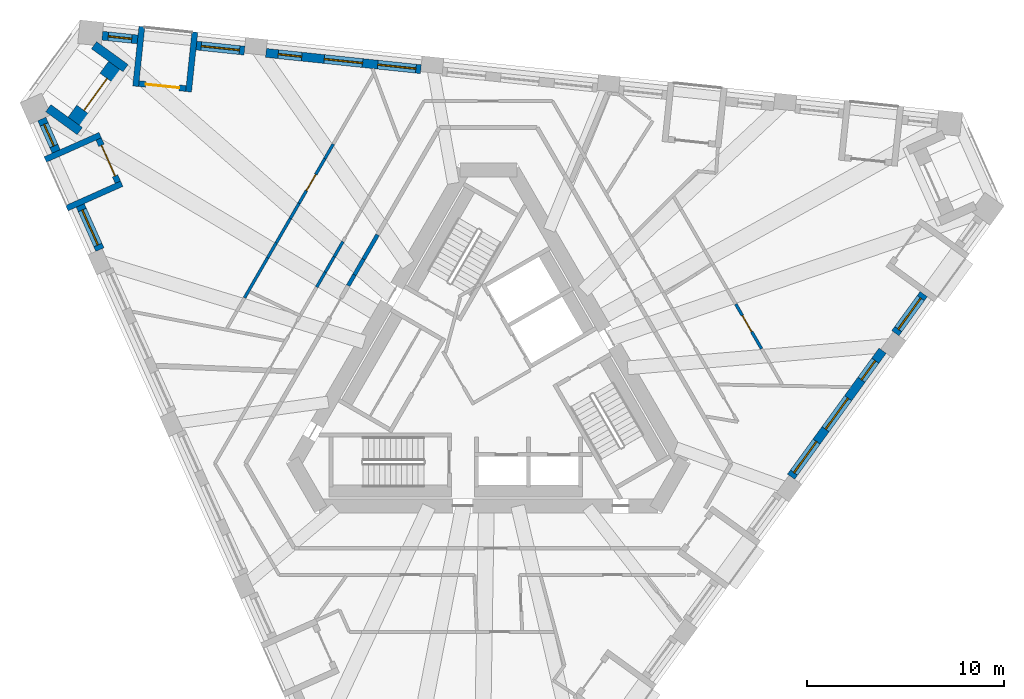
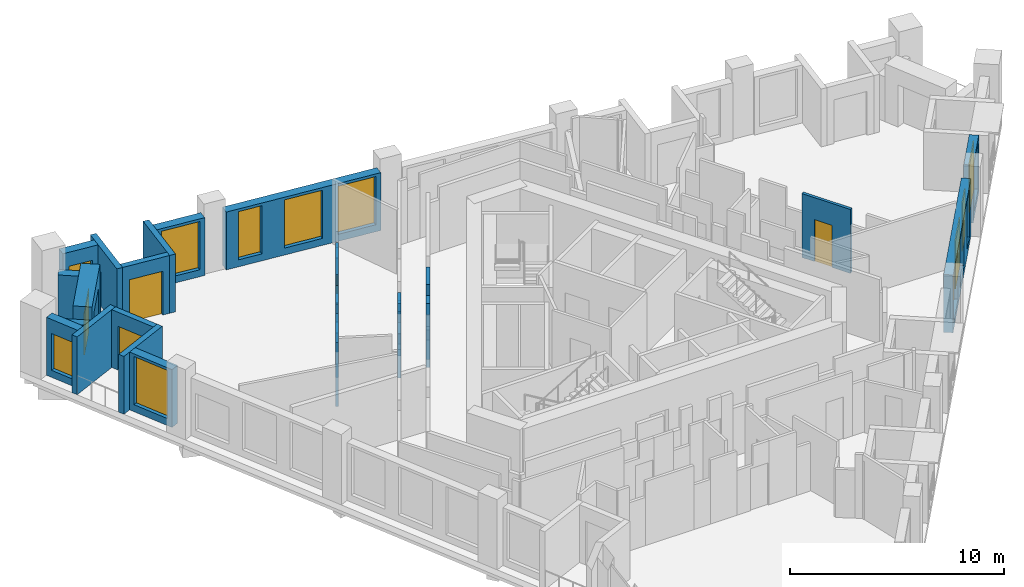
# One storey, part 6 of 11: 29 walls, 11 windows, 5 doors, 16 openings.
"""IFC4 building model written with IfcOpenShell, lengths in metres."""

from ifc_helpers import new_model, si_unit, direction, frame, frame_2d, origin, place, context, subcontext, project, spatial, rectangle, extrude, material, layer, layer_set, type_object, element, fill, save


model = new_model("IFC4")

# Units and contexts
model_context = context("Model", 3, precision=1e-05, world=origin(), true_north=direction((0.0, 1.0)))
body_context = subcontext(model_context, "Body", "Model", "MODEL_VIEW")
ifc_project = project(units=[si_unit("LENGTHUNIT", "METRE"), si_unit("AREAUNIT", "SQUARE_METRE"), si_unit("VOLUMEUNIT", "CUBIC_METRE"), si_unit("PLANEANGLEUNIT", "RADIAN"), si_unit("MASSUNIT", "GRAM", prefix="KILO")], contexts=[model_context])

# Site, building, storey
site_placement = place(None, origin())
site = spatial("IfcSite", under=ifc_project, at=site_placement, CompositionType="ELEMENT")
building_placement = place(site_placement, origin())
building = spatial("IfcBuilding", under=site, at=building_placement, Name="Tramontana Tower", CompositionType="ELEMENT")
storey_placement = place(building_placement, frame((0.0, 0.0, 261.199951171875)))
storey = spatial("IfcBuildingStorey", under=building, at=storey_placement, Name="L61", CompositionType="ELEMENT", Elevation=261.199951171875)

# Walls
ifc_material_1 = material(Name="Blockwork", Category="masonry")
ifc_layer_1 = layer(ifc_material_1, 0.199951171875)
ifc_layer_set_1 = layer_set([ifc_layer_1], Name="ENTRY WALL 200")
wall_type_1 = type_object("IfcWallType", Name="ENTRY WALL 200", PredefinedType="SOLIDWALL", material=ifc_layer_set_1)
wall_1_placement = place(storey_placement, frame((-7.11181640625, 4.78173828125, 0.0), z_axis=(0.0, 0.0, 1.0), x_axis=(0.499956208541, 0.866050685319, 0.0)))
element("IfcWall", 1, at=wall_1_placement, inside=storey, type_object=wall_type_1, Name="Wall v62-ew3-6", PredefinedType="SOLIDWALL", context=body_context, shape_type="SweptSolid", body=[
    extrude(rectangle(XDim=0.6328125, YDim=0.199951171875, at=frame_2d((0.31640625, 0.0))), origin(), (0.0, 0.0, 1.0), 3.650146484375),
])
wall_2_placement = place(storey_placement, frame((-6.79541015625, 5.329833984375, 0.0), z_axis=(0.0, 0.0, 1.0), x_axis=(0.499975954304, 0.866039286129, 0.0)))
element("IfcWall", 2, at=wall_2_placement, inside=storey, type_object=wall_type_1, Name="Wall v62-ew3-7", PredefinedType="SOLIDWALL", context=body_context, shape_type="SweptSolid", body=[
    extrude(rectangle(XDim=0.9169921875, YDim=0.199951171875, at=frame_2d((0.45849609375, 0.0))), origin(), (0.0, 0.0, 1.0), 2.550048828125),
])
wall_3_placement = place(storey_placement, frame((-6.3369140625, 6.1240234375, 0.0), z_axis=(0.0, 0.0, 1.0), x_axis=(0.499904796234, 0.866080362727, 0.0)))
element("IfcWall", 3, at=wall_3_placement, inside=storey, type_object=wall_type_1, Name="Wall v62-ew3-8", PredefinedType="SOLIDWALL", context=body_context, shape_type="SweptSolid", body=[
    extrude(rectangle(XDim=1.429443359375, YDim=0.199951171875, at=frame_2d((0.71484375, 0.0))), origin(), (0.0, 0.0, 1.0), 3.650146484375),
])

# Wall, opening, window
ifc_material_2 = material(Name="Precast concrete 60 MPa", Category="concrete")
ifc_layer_2 = layer(ifc_material_2, 0.449951171875)
ifc_layer_set_2 = layer_set([ifc_layer_2], Name="Precast concrete 60 MPa, 450 mm")
wall_type_2 = type_object("IfcWallType", Name="EW1 Stone-faced precast wall 450", PredefinedType="SOLIDWALL", material=ifc_layer_set_2)
wall_4_placement = place(storey_placement, frame((-22.67041015625, 13.240478515625, 0.0), z_axis=(0.0, 0.0, 1.0), x_axis=(0.406779346191, -0.913526443795, 0.0)))
wall_4 = element("IfcWall", 4, at=wall_4_placement, inside=storey, type_object=wall_type_2, Name="External wall L61 face 0 bay 1", PredefinedType="SOLIDWALL", context=body_context, shape_type="SweptSolid", body=[
    extrude(rectangle(XDim=1.80224609375, YDim=0.449951171875, at=frame_2d((0.901123046875, 0.0))), origin(), (0.0, 0.0, 1.0), 3.300048828125),
])
opening_1_placement = place(wall_4_placement, frame((0.301025390625, 0.0, 0.39990234375)))
opening_1 = element("IfcOpeningElement", 5, at=opening_1_placement, cuts=wall_4, Name="Opening N3L", PredefinedType="OPENING", context=body_context, shape_type="SweptSolid", body=[
    extrude(rectangle(XDim=1.199951171875, YDim=2.10009765625, at=frame_2d((0.60009765625, 1.050048828125))), frame((0.0, 0.23486328125, 0.0), z_axis=(0.0, -1.0, 0.0), x_axis=(1.0, 0.0, 0.0)), (0.0, 0.0, 1.0), 0.469970703125),
])
ifc_material_3 = material(Name="Aluminum frame, double glazing unit", Category="aluminium")
window_type_1 = type_object("IfcWindowType", Name="N3L Window 1.2 x 2.1", PartitioningType="SINGLE_PANEL", PredefinedType="WINDOW", material=ifc_material_3)
window_1_placement = place(opening_1_placement, origin())
window_1 = element("IfcWindow", 6, at=window_1_placement, inside=storey, type_object=window_type_1, Name="Window N3L L61 face 0 module 1", OverallHeight=2.10009765625, OverallWidth=1.199951171875, PartitioningType="SINGLE_PANEL", PredefinedType="WINDOW", context=body_context, shape_type="SweptSolid", body=[
    extrude(rectangle(XDim=1.199951171875, YDim=2.10009765625, at=frame_2d((0.60009765625, 1.050048828125))), frame((0.0, 0.030029296875, 0.0), z_axis=(0.0, -1.0, 0.0), x_axis=(1.0, 0.0, 0.0)), (0.0, 0.0, 1.0), 0.06005859375),
])
fill(opening_1, window_1)

wall_5_placement = place(storey_placement, frame((-20.71630859375, 8.851318359375, 0.0), z_axis=(0.0, 0.0, 1.0), x_axis=(0.406821962592, -0.913507466172, 0.0)))
wall_5 = element("IfcWall", 7, at=wall_5_placement, inside=storey, type_object=wall_type_2, Name="External wall L61 face 0 bay 1", PredefinedType="SOLIDWALL", context=body_context, shape_type="SweptSolid", body=[
    extrude(rectangle(XDim=2.4521484375, YDim=0.449951171875, at=frame_2d((1.22607421875, 0.0))), origin(), (0.0, 0.0, 1.0), 3.300048828125),
])
opening_2_placement = place(wall_5_placement, frame((0.251220703125, 0.0, 0.39990234375)))
opening_2 = element("IfcOpeningElement", 8, at=opening_2_placement, cuts=wall_5, Name="Opening M3", PredefinedType="OPENING", context=body_context, shape_type="SweptSolid", body=[
    extrude(rectangle(XDim=1.949951171875, YDim=2.75, at=frame_2d((0.97509765625, 1.375))), frame((0.0, 0.23486328125, 0.0), z_axis=(0.0, -1.0, 0.0), x_axis=(1.0, 0.0, 0.0)), (0.0, 0.0, 1.0), 0.469970703125),
])
ifc_material_4 = material(Name="Aluminum frame, double glazing unit", Category="aluminium")
window_type_2 = type_object("IfcWindowType", Name="M3 Window 1.95 x 2.75", PartitioningType="SINGLE_PANEL", PredefinedType="WINDOW", material=ifc_material_4)
window_2_placement = place(opening_2_placement, origin())
window_2 = element("IfcWindow", 9, at=window_2_placement, inside=storey, type_object=window_type_2, Name="Window M3 L61 face 0 module 3", OverallHeight=2.75, OverallWidth=1.949951171875, PartitioningType="SINGLE_PANEL", PredefinedType="WINDOW", context=body_context, shape_type="SweptSolid", body=[
    extrude(rectangle(XDim=1.949951171875, YDim=2.75, at=frame_2d((0.97509765625, 1.375))), frame((0.0, 0.030029296875, 0.0), z_axis=(0.0, -1.0, 0.0), x_axis=(1.0, 0.0, 0.0)), (0.0, 0.0, 1.0), 0.06005859375),
])
fill(opening_2, window_2)

# Wall, openings, windows
wall_6_placement = place(storey_placement, frame((15.368408203125, -4.919677734375, 0.0), z_axis=(0.0, 0.0, 1.0), x_axis=(0.587782407267, 0.809019061399, 0.0)))
wall_6 = element("IfcWall", 10, at=wall_6_placement, inside=storey, type_object=wall_type_2, Name="External wall L61 face 1 bay 4", PredefinedType="SOLIDWALL", context=body_context, shape_type="SweptSolid", body=[
    extrude(rectangle(XDim=7.90673828125, YDim=0.449951171875, at=frame_2d((3.953369140625, 0.0))), origin(), (0.0, 0.0, 1.0), 3.300048828125),
])
opening_3_placement = place(wall_6_placement, frame((0.251220703125, 0.0, 0.39990234375)))
opening_3 = element("IfcOpeningElement", 11, at=opening_3_placement, cuts=wall_6, Name="Opening M3", PredefinedType="OPENING", context=body_context, shape_type="SweptSolid", body=[
    extrude(rectangle(XDim=1.949951171875, YDim=2.75, at=frame_2d((0.97509765625, 1.375))), frame((0.0, 0.23486328125, 0.0), z_axis=(0.0, -1.0, 0.0), x_axis=(1.0, 0.0, 0.0)), (0.0, 0.0, 1.0), 0.469970703125),
])
opening_4_placement = place(wall_6_placement, frame((2.978271484375, 0.0, 0.39990234375)))
opening_4 = element("IfcOpeningElement", 12, at=opening_4_placement, cuts=wall_6, Name="Opening M3", PredefinedType="OPENING", context=body_context, shape_type="SweptSolid", body=[
    extrude(rectangle(XDim=1.949951171875, YDim=2.75, at=frame_2d((0.97509765625, 1.375))), frame((0.0, 0.23486328125, 0.0), z_axis=(0.0, -1.0, 0.0), x_axis=(1.0, 0.0, 0.0)), (0.0, 0.0, 1.0), 0.469970703125),
])
opening_5_placement = place(wall_6_placement, frame((6.08056640625, 0.0, 0.39990234375)))
opening_5 = element("IfcOpeningElement", 13, at=opening_5_placement, cuts=wall_6, Name="Opening N3", PredefinedType="OPENING", context=body_context, shape_type="SweptSolid", body=[
    extrude(rectangle(XDim=1.199951171875, YDim=2.75, at=frame_2d((0.60009765625, 1.375))), frame((0.0, 0.23486328125, 0.0), z_axis=(0.0, -1.0, 0.0), x_axis=(1.0, 0.0, 0.0)), (0.0, 0.0, 1.0), 0.469970703125),
])
window_3_placement = place(opening_3_placement, origin())
window_3 = element("IfcWindow", 14, at=window_3_placement, inside=storey, type_object=window_type_2, Name="Window M3 L61 face 1 module 10", OverallHeight=2.75, OverallWidth=1.949951171875, PartitioningType="SINGLE_PANEL", PredefinedType="WINDOW", context=body_context, shape_type="SweptSolid", body=[
    extrude(rectangle(XDim=1.949951171875, YDim=2.75, at=frame_2d((0.97509765625, 1.375))), frame((0.0, 0.030029296875, 0.0), z_axis=(0.0, -1.0, 0.0), x_axis=(1.0, 0.0, 0.0)), (0.0, 0.0, 1.0), 0.06005859375),
])
fill(opening_3, window_3)
window_4_placement = place(opening_4_placement, origin())
window_4 = element("IfcWindow", 15, at=window_4_placement, inside=storey, type_object=window_type_2, Name="Window M3 L61 face 1 module 11", OverallHeight=2.75, OverallWidth=1.949951171875, PartitioningType="SINGLE_PANEL", PredefinedType="WINDOW", context=body_context, shape_type="SweptSolid", body=[
    extrude(rectangle(XDim=1.949951171875, YDim=2.75, at=frame_2d((0.97509765625, 1.375))), frame((0.0, 0.030029296875, 0.0), z_axis=(0.0, -1.0, 0.0), x_axis=(1.0, 0.0, 0.0)), (0.0, 0.0, 1.0), 0.06005859375),
])
fill(opening_4, window_4)
ifc_material_5 = material(Name="Aluminum frame, double glazing unit", Category="aluminium")
window_type_3 = type_object("IfcWindowType", Name="N3 Window 1.2 x 2.75", PartitioningType="SINGLE_PANEL", PredefinedType="WINDOW", material=ifc_material_5)
window_5_placement = place(opening_5_placement, origin())
window_5 = element("IfcWindow", 16, at=window_5_placement, inside=storey, type_object=window_type_3, Name="Window N3 L61 face 1 module 12", OverallHeight=2.75, OverallWidth=1.199951171875, PartitioningType="SINGLE_PANEL", PredefinedType="WINDOW", context=body_context, shape_type="SweptSolid", body=[
    extrude(rectangle(XDim=1.199951171875, YDim=2.75, at=frame_2d((0.60009765625, 1.375))), frame((0.0, 0.030029296875, 0.0), z_axis=(0.0, -1.0, 0.0), x_axis=(1.0, 0.0, 0.0)), (0.0, 0.0, 1.0), 0.06005859375),
])
fill(opening_5, window_5)

# Wall, opening, window
wall_7_placement = place(storey_placement, frame((20.662353515625, 2.366943359375, 0.0), z_axis=(0.0, 0.0, 1.0), x_axis=(0.587792773076, 0.809011530152, 0.0)))
wall_7 = element("IfcWall", 17, at=wall_7_placement, inside=storey, type_object=wall_type_2, Name="External wall L61 face 1 bay 5", PredefinedType="SOLIDWALL", context=body_context, shape_type="SweptSolid", body=[
    extrude(rectangle(XDim=2.4521484375, YDim=0.449951171875, at=frame_2d((1.22607421875, 0.0))), origin(), (0.0, 0.0, 1.0), 3.300048828125),
])
opening_6_placement = place(wall_7_placement, frame((0.251220703125, 0.0, 0.39990234375)))
opening_6 = element("IfcOpeningElement", 18, at=opening_6_placement, cuts=wall_7, Name="Opening M3", PredefinedType="OPENING", context=body_context, shape_type="SweptSolid", body=[
    extrude(rectangle(XDim=1.949951171875, YDim=2.75, at=frame_2d((0.97509765625, 1.375))), frame((0.0, 0.23486328125, 0.0), z_axis=(0.0, -1.0, 0.0), x_axis=(1.0, 0.0, 0.0)), (0.0, 0.0, 1.0), 0.469970703125),
])
window_6_placement = place(opening_6_placement, origin())
window_6 = element("IfcWindow", 19, at=window_6_placement, inside=storey, type_object=window_type_2, Name="Window M3 L61 face 1 module 13", OverallHeight=2.75, OverallWidth=1.949951171875, PartitioningType="SINGLE_PANEL", PredefinedType="WINDOW", context=body_context, shape_type="SweptSolid", body=[
    extrude(rectangle(XDim=1.949951171875, YDim=2.75, at=frame_2d((0.97509765625, 1.375))), frame((0.0, 0.030029296875, 0.0), z_axis=(0.0, -1.0, 0.0), x_axis=(1.0, 0.0, 0.0)), (0.0, 0.0, 1.0), 0.06005859375),
])
fill(opening_6, window_6)

# Wall, openings, windows
wall_8_placement = place(storey_placement, frame((-3.423828125, 15.769287109375, 0.0), z_axis=(0.0, 0.0, 1.0), x_axis=(-0.994522528385, 0.104522440343, 0.0)))
wall_8 = element("IfcWall", 20, at=wall_8_placement, inside=storey, type_object=wall_type_2, Name="External wall L61 face 2 bay 4", PredefinedType="SOLIDWALL", context=body_context, shape_type="SweptSolid", body=[
    extrude(rectangle(XDim=7.906494140625, YDim=0.449951171875, at=frame_2d((3.953125, 0.0))), origin(), (0.0, 0.0, 1.0), 3.300048828125),
])
opening_7_placement = place(wall_8_placement, frame((0.251220703125, 0.0, 0.39990234375)))
opening_7 = element("IfcOpeningElement", 21, at=opening_7_placement, cuts=wall_8, Name="Opening M3", PredefinedType="OPENING", context=body_context, shape_type="SweptSolid", body=[
    extrude(rectangle(XDim=1.949951171875, YDim=2.75, at=frame_2d((0.97509765625, 1.375))), frame((0.0, 0.23486328125, 0.0), z_axis=(0.0, -1.0, 0.0), x_axis=(1.0, 0.0, 0.0)), (0.0, 0.0, 1.0), 0.469970703125),
])
opening_8_placement = place(wall_8_placement, frame((2.978271484375, 0.0, 0.39990234375)))
opening_8 = element("IfcOpeningElement", 22, at=opening_8_placement, cuts=wall_8, Name="Opening M3", PredefinedType="OPENING", context=body_context, shape_type="SweptSolid", body=[
    extrude(rectangle(XDim=1.949951171875, YDim=2.75, at=frame_2d((0.97509765625, 1.375))), frame((0.0, 0.23486328125, 0.0), z_axis=(0.0, -1.0, 0.0), x_axis=(1.0, 0.0, 0.0)), (0.0, 0.0, 1.0), 0.469970703125),
])
opening_9_placement = place(wall_8_placement, frame((6.08056640625, 0.0, 0.39990234375)))
opening_9 = element("IfcOpeningElement", 23, at=opening_9_placement, cuts=wall_8, Name="Opening N3", PredefinedType="OPENING", context=body_context, shape_type="SweptSolid", body=[
    extrude(rectangle(XDim=1.199951171875, YDim=2.75, at=frame_2d((0.60009765625, 1.375))), frame((0.0, 0.23486328125, 0.0), z_axis=(0.0, -1.0, 0.0), x_axis=(1.0, 0.0, 0.0)), (0.0, 0.0, 1.0), 0.469970703125),
])
window_7_placement = place(opening_7_placement, origin())
window_7 = element("IfcWindow", 24, at=window_7_placement, inside=storey, type_object=window_type_2, Name="Window M3 L61 face 2 module 10", OverallHeight=2.75, OverallWidth=1.949951171875, PartitioningType="SINGLE_PANEL", PredefinedType="WINDOW", context=body_context, shape_type="SweptSolid", body=[
    extrude(rectangle(XDim=1.949951171875, YDim=2.75, at=frame_2d((0.97509765625, 1.375))), frame((0.0, 0.030029296875, 0.0), z_axis=(0.0, -1.0, 0.0), x_axis=(1.0, 0.0, 0.0)), (0.0, 0.0, 1.0), 0.06005859375),
])
fill(opening_7, window_7)
window_8_placement = place(opening_8_placement, origin())
window_8 = element("IfcWindow", 25, at=window_8_placement, inside=storey, type_object=window_type_2, Name="Window M3 L61 face 2 module 11", OverallHeight=2.75, OverallWidth=1.949951171875, PartitioningType="SINGLE_PANEL", PredefinedType="WINDOW", context=body_context, shape_type="SweptSolid", body=[
    extrude(rectangle(XDim=1.949951171875, YDim=2.75, at=frame_2d((0.97509765625, 1.375))), frame((0.0, 0.030029296875, 0.0), z_axis=(0.0, -1.0, 0.0), x_axis=(1.0, 0.0, 0.0)), (0.0, 0.0, 1.0), 0.06005859375),
])
fill(opening_8, window_8)
window_9_placement = place(opening_9_placement, origin())
window_9 = element("IfcWindow", 26, at=window_9_placement, inside=storey, type_object=window_type_3, Name="Window N3 L61 face 2 module 12", OverallHeight=2.75, OverallWidth=1.199951171875, PartitioningType="SINGLE_PANEL", PredefinedType="WINDOW", context=body_context, shape_type="SweptSolid", body=[
    extrude(rectangle(XDim=1.199951171875, YDim=2.75, at=frame_2d((0.60009765625, 1.375))), frame((0.0, 0.030029296875, 0.0), z_axis=(0.0, -1.0, 0.0), x_axis=(1.0, 0.0, 0.0)), (0.0, 0.0, 1.0), 0.06005859375),
])
fill(opening_9, window_9)

# Wall, opening, window
wall_9_placement = place(storey_placement, frame((-12.381103515625, 16.710693359375, 0.0), z_axis=(0.0, 0.0, 1.0), x_axis=(-0.994520717537, 0.104539668977, 0.0)))
wall_9 = element("IfcWall", 27, at=wall_9_placement, inside=storey, type_object=wall_type_2, Name="External wall L61 face 2 bay 5", PredefinedType="SOLIDWALL", context=body_context, shape_type="SweptSolid", body=[
    extrude(rectangle(XDim=2.4521484375, YDim=0.449951171875, at=frame_2d((1.22607421875, 0.0))), origin(), (0.0, 0.0, 1.0), 3.300048828125),
])
opening_10_placement = place(wall_9_placement, frame((0.251220703125, 0.0, 0.39990234375)))
opening_10 = element("IfcOpeningElement", 28, at=opening_10_placement, cuts=wall_9, Name="Opening M3", PredefinedType="OPENING", context=body_context, shape_type="SweptSolid", body=[
    extrude(rectangle(XDim=1.949951171875, YDim=2.75, at=frame_2d((0.97509765625, 1.375))), frame((0.0, 0.23486328125, 0.0), z_axis=(0.0, -1.0, 0.0), x_axis=(1.0, 0.0, 0.0)), (0.0, 0.0, 1.0), 0.469970703125),
])
window_10_placement = place(opening_10_placement, origin())
window_10 = element("IfcWindow", 29, at=window_10_placement, inside=storey, type_object=window_type_2, Name="Window M3 L61 face 2 module 13", OverallHeight=2.75, OverallWidth=1.949951171875, PartitioningType="SINGLE_PANEL", PredefinedType="WINDOW", context=body_context, shape_type="SweptSolid", body=[
    extrude(rectangle(XDim=1.949951171875, YDim=2.75, at=frame_2d((0.97509765625, 1.375))), frame((0.0, 0.030029296875, 0.0), z_axis=(0.0, -1.0, 0.0), x_axis=(1.0, 0.0, 0.0)), (0.0, 0.0, 1.0), 0.06005859375),
])
fill(opening_10, window_10)

wall_10_placement = place(storey_placement, frame((-17.8056640625, 17.28076171875, 0.0), z_axis=(0.0, 0.0, 1.0), x_axis=(-0.994515840559, 0.104586054885, 0.0)))
wall_10 = element("IfcWall", 30, at=wall_10_placement, inside=storey, type_object=wall_type_2, Name="External wall L61 face 2 bay 5", PredefinedType="SOLIDWALL", context=body_context, shape_type="SweptSolid", body=[
    extrude(rectangle(XDim=1.802001953125, YDim=0.449951171875, at=frame_2d((0.90087890625, 0.0))), origin(), (0.0, 0.0, 1.0), 3.300048828125),
])
opening_11_placement = place(wall_10_placement, frame((0.301025390625, 0.0, 0.39990234375)))
opening_11 = element("IfcOpeningElement", 31, at=opening_11_placement, cuts=wall_10, Name="Opening N3L", PredefinedType="OPENING", context=body_context, shape_type="SweptSolid", body=[
    extrude(rectangle(XDim=1.199951171875, YDim=2.10009765625, at=frame_2d((0.60009765625, 1.050048828125))), frame((0.0, 0.23486328125, 0.0), z_axis=(0.0, -1.0, 0.0), x_axis=(1.0, 0.0, 0.0)), (0.0, 0.0, 1.0), 0.469970703125),
])
window_11_placement = place(opening_11_placement, origin())
window_11 = element("IfcWindow", 32, at=window_11_placement, inside=storey, type_object=window_type_1, Name="Window N3L L61 face 2 module 15", OverallHeight=2.10009765625, OverallWidth=1.199951171875, PartitioningType="SINGLE_PANEL", PredefinedType="WINDOW", context=body_context, shape_type="SweptSolid", body=[
    extrude(rectangle(XDim=1.199951171875, YDim=2.10009765625, at=frame_2d((0.60009765625, 1.050048828125))), frame((0.0, 0.030029296875, 0.0), z_axis=(0.0, -1.0, 0.0), x_axis=(1.0, 0.0, 0.0)), (0.0, 0.0, 1.0), 0.06005859375),
])
fill(opening_11, window_11)

# Walls
for number, where, z_axis, x_axis, name in (
    (33, (-22.34033203125, 13.7900390625, 0.0), (0.0, 0.0, 1.0), (0.809040012586, -0.587753569138, 0.0), "Corner loggia side wall L61 K60l"),
    (34, (-20.0185546875, 16.985595703125, 0.0), (0.0, 0.0, 1.0), (0.809040012586, -0.587753569138, 0.0), "Corner loggia side wall L61 K60r"),
):
    element("IfcWall", number, at=place(storey_placement, frame(where, z_axis=z_axis, x_axis=x_axis)), inside=storey, type_object=wall_type_2, Name=name, PredefinedType="SOLIDWALL", context=body_context, shape_type="SweptSolid", body=[
        extrude(rectangle(XDim=1.979248046875, YDim=0.449951171875, at=frame_2d((0.98974609375, 0.0))), origin(), (0.0, 0.0, 1.0), 2.550048828125),
    ])

# Wall, opening, door
ifc_material_6 = material(Name="Precast concrete 60 MPa", Category="concrete")
ifc_layer_3 = layer(ifc_material_6, 0.89990234375)
ifc_layer_set_3 = layer_set([ifc_layer_3], Name="EW2 Stone-faced corner loggia wall 900")
wall_type_3 = type_object("IfcWallType", Name="EW2 Stone-faced corner loggia wall 900", PredefinedType="SOLIDWALL", material=ifc_layer_set_3)
wall_11_placement = place(storey_placement, frame((-20.970947265625, 13.0732421875, 0.0), z_axis=(0.0, 0.0, 1.0), x_axis=(0.587810807352, 0.808998426921, 0.0)))
wall_11 = element("IfcWall", 35, at=wall_11_placement, inside=storey, type_object=wall_type_3, Name="Corner loggia wall L61 K60", PredefinedType="SOLIDWALL", context=body_context, shape_type="SweptSolid", body=[
    extrude(rectangle(XDim=3.5, YDim=0.89990234375, at=frame_2d((1.75, 0.0))), origin(), (0.0, 0.0, 1.0), 3.300048828125),
])
opening_12_placement = place(wall_11_placement, frame((0.75, 0.0, 0.0)))
opening_12 = element("IfcOpeningElement", 36, at=opening_12_placement, cuts=wall_11, Name="Opening BD-60C", PredefinedType="OPENING", context=body_context, shape_type="SweptSolid", body=[
    extrude(rectangle(XDim=2.0, YDim=2.39990234375, at=frame_2d((1.0, 1.199951171875))), frame((0.0, 0.4599609375, 0.0), z_axis=(0.0, -1.0, 0.0), x_axis=(1.0, 0.0, 0.0)), (0.0, 0.0, 1.0), 0.919921875),
])
ifc_material_7 = material(Name="Aluminum frame, double glazing unit", Category="aluminium")
door_type_1 = type_object("IfcDoorType", Name="BC1 Sliding door 2 x 2.4", OperationType="SLIDING_TO_LEFT", PredefinedType="DOOR", material=ifc_material_7)
door_1_placement = place(opening_12_placement, origin())
door_1 = element("IfcDoor", 37, at=door_1_placement, inside=storey, type_object=door_type_1, Name="Corner loggia door L61 K60", OperationType="SLIDING_TO_LEFT", OverallHeight=2.39990234375, OverallWidth=2.0, PredefinedType="DOOR", context=body_context, shape_type="SweptSolid", body=[
    extrude(rectangle(XDim=2.0, YDim=2.39990234375, at=frame_2d((1.0, 1.199951171875))), frame((0.0, 0.02490234375, 0.0), z_axis=(0.0, -1.0, 0.0), x_axis=(1.0, 0.0, 0.0)), (0.0, 0.0, 1.0), 0.050048828125),
])
fill(opening_12, door_1)

ifc_material_8 = material(Name="Precast concrete 60 MPa", Category="concrete")
ifc_layer_4 = layer(ifc_material_8, 0.300048828125)
ifc_layer_set_4 = layer_set([ifc_layer_4], Name="LW1 Stone-faced loggia wall 300")
wall_type_4 = type_object("IfcWallType", Name="LW1 Stone-faced loggia wall 300", PredefinedType="SOLIDWALL", material=ifc_layer_set_4)
wall_12_placement = place(storey_placement, frame((-19.78271484375, 12.22509765625, 0.0), z_axis=(0.0, 0.0, 1.0), x_axis=(0.406723017018, -0.913551524232, 0.0)))
wall_12 = element("IfcWall", 38, at=wall_12_placement, inside=storey, type_object=wall_type_4, Name="Loggia wall L61 G6S0.1", PredefinedType="SOLIDWALL", context=body_context, shape_type="SweptSolid", body=[
    extrude(rectangle(XDim=2.40234375, YDim=0.300048828125, at=frame_2d((1.201171875, 0.0))), origin(), (0.0, 0.0, 1.0), 3.300048828125),
])
opening_13_placement = place(wall_12_placement, frame((0.35107421875, 0.0, 0.0)))
opening_13 = element("IfcOpeningElement", 39, at=opening_13_placement, cuts=wall_12, Name="Opening BD-6S0-01", PredefinedType="OPENING", context=body_context, shape_type="SweptSolid", body=[
    extrude(rectangle(XDim=1.699951171875, YDim=2.5, at=frame_2d((0.85009765625, 1.25))), frame((0.0, 0.159912109375, 0.0), z_axis=(0.0, -1.0, 0.0), x_axis=(1.0, 0.0, 0.0)), (0.0, 0.0, 1.0), 0.320068359375),
])
ifc_material_9 = material(Name="Aluminum frame, double glazing unit", Category="aluminium")
door_type_2 = type_object("IfcDoorType", Name="BD3 Sliding door 1.7 x 2.5", OperationType="SLIDING_TO_LEFT", PredefinedType="DOOR", material=ifc_material_9)
door_2_placement = place(opening_13_placement, origin())
door_2 = element("IfcDoor", 40, at=door_2_placement, inside=storey, type_object=door_type_2, Name="Loggia door L61 G6S0.1", OperationType="SLIDING_TO_LEFT", OverallHeight=2.5, OverallWidth=1.699951171875, PredefinedType="DOOR", context=body_context, shape_type="SweptSolid", body=[
    extrude(rectangle(XDim=1.699951171875, YDim=2.5, at=frame_2d((0.85009765625, 1.25))), frame((0.0, 0.02490234375, 0.0), z_axis=(0.0, -1.0, 0.0), x_axis=(1.0, 0.0, 0.0)), (0.0, 0.0, 1.0), 0.050048828125),
])
fill(opening_13, door_2)

# Walls
wall_13_placement = place(storey_placement, frame((-22.492919921875, 11.1826171875, 0.0), z_axis=(0.0, 0.0, 1.0), x_axis=(0.913557205168, 0.406710256677, 0.0)))
element("IfcWall", 41, at=wall_13_placement, inside=storey, type_object=wall_type_4, Name="Loggia return L61 G6S0.1a", PredefinedType="SOLIDWALL", context=body_context, shape_type="SweptSolid", body=[
    extrude(rectangle(XDim=3.050048828125, YDim=0.300048828125, at=frame_2d((1.52490234375, 0.0))), origin(), (0.0, 0.0, 1.0), 3.300048828125),
])
wall_14_placement = place(storey_placement, frame((-21.393798828125, 8.7138671875, 0.0), z_axis=(0.0, 0.0, 1.0), x_axis=(0.91354396316, 0.406739999721, 0.0)))
element("IfcWall", 42, at=wall_14_placement, inside=storey, type_object=wall_type_4, Name="Loggia return L61 G6S0.1b", PredefinedType="SOLIDWALL", context=body_context, shape_type="SweptSolid", body=[
    extrude(rectangle(XDim=3.0498046875, YDim=0.300048828125, at=frame_2d((1.52490234375, 0.0))), origin(), (0.0, 0.0, 1.0), 3.300048828125),
])

# Wall, opening, door
wall_15_placement = place(storey_placement, frame((-15.350830078125, 14.78564453125, 0.0), z_axis=(0.0, 0.0, 1.0), x_axis=(-0.994526595554, 0.104483734311, 0.0)))
wall_15 = element("IfcWall", 43, at=wall_15_placement, inside=storey, type_object=wall_type_4, Name="Loggia wall L61 G6S2.13", PredefinedType="SOLIDWALL", context=body_context, shape_type="SweptSolid", body=[
    extrude(rectangle(XDim=2.402099609375, YDim=0.300048828125, at=frame_2d((1.201171875, 0.0))), origin(), (0.0, 0.0, 1.0), 3.300048828125),
])
opening_14_placement = place(wall_15_placement, frame((0.35107421875, 0.0, 0.0)))
opening_14 = element("IfcOpeningElement", 44, at=opening_14_placement, cuts=wall_15, Name="Opening BD-6S2-13", PredefinedType="OPENING", context=body_context, shape_type="SweptSolid", body=[
    extrude(rectangle(XDim=1.699951171875, YDim=2.5, at=frame_2d((0.85009765625, 1.25))), frame((0.0, 0.159912109375, 0.0), z_axis=(0.0, -1.0, 0.0), x_axis=(1.0, 0.0, 0.0)), (0.0, 0.0, 1.0), 0.320068359375),
])
door_3_placement = place(opening_14_placement, origin())
door_3 = element("IfcDoor", 45, at=door_3_placement, inside=storey, type_object=door_type_2, Name="Loggia door L61 G6S2.13", OperationType="SLIDING_TO_LEFT", OverallHeight=2.5, OverallWidth=1.699951171875, PredefinedType="DOOR", context=body_context, shape_type="SweptSolid", body=[
    extrude(rectangle(XDim=1.699951171875, YDim=2.5, at=frame_2d((0.85009765625, 1.25))), frame((0.0, 0.02490234375, 0.0), z_axis=(0.0, -1.0, 0.0), x_axis=(1.0, 0.0, 0.0)), (0.0, 0.0, 1.0), 0.050048828125),
])
fill(opening_14, door_3)

# Walls
wall_16_placement = place(storey_placement, frame((-14.8984375, 17.654052734375, 0.0), z_axis=(0.0, 0.0, 1.0), x_axis=(-0.104543108891, -0.994520355942, 0.0)))
element("IfcWall", 46, at=wall_16_placement, inside=storey, type_object=wall_type_4, Name="Loggia return L61 G6S2.13a", PredefinedType="SOLIDWALL", context=body_context, shape_type="SweptSolid", body=[
    extrude(rectangle(XDim=3.0498046875, YDim=0.300048828125, at=frame_2d((1.52490234375, 0.0))), origin(), (0.0, 0.0, 1.0), 3.300048828125),
])
wall_17_placement = place(storey_placement, frame((-17.5859375, 17.9365234375, 0.0), z_axis=(0.0, 0.0, 1.0), x_axis=(-0.104534786906, -0.994521230707, 0.0)))
element("IfcWall", 47, at=wall_17_placement, inside=storey, type_object=wall_type_4, Name="Loggia return L61 G6S2.13b", PredefinedType="SOLIDWALL", context=body_context, shape_type="SweptSolid", body=[
    extrude(rectangle(XDim=3.050048828125, YDim=0.300048828125, at=frame_2d((1.52490234375, 0.0))), origin(), (0.0, 0.0, 1.0), 3.300048828125),
])
ifc_material_10 = material(Name="Gypsum board partition")
ifc_layer_5 = layer(ifc_material_10, 0.14990234375)
ifc_layer_set_5 = layer_set([ifc_layer_5], Name="PARTITION 150")
wall_type_5 = type_object("IfcWallType", Name="PARTITION 150", PredefinedType="PARTITIONING", material=ifc_layer_set_5)
wall_18_placement = place(storey_placement, frame((-8.714111328125, 4.70654296875, 0.0), z_axis=(0.0, 0.0, 1.0), x_axis=(0.499859285417, 0.866106630146, 0.0)))
element("IfcWall", 48, at=wall_18_placement, inside=storey, type_object=wall_type_5, Name="Wall v62-pw00-5", PredefinedType="PARTITIONING", context=body_context, shape_type="SweptSolid", body=[
    extrude(rectangle(XDim=0.875244140625, YDim=0.14990234375, at=frame_2d((0.4375, 0.0))), origin(), (0.0, 0.0, 1.0), 2.550048828125),
])
wall_19_placement = place(storey_placement, frame((-8.276611328125, 5.464599609375, 0.0), z_axis=(0.0, 0.0, 1.0), x_axis=(0.50004290449, 0.866000631449, 0.0)))
element("IfcWall", 49, at=wall_19_placement, inside=storey, type_object=wall_type_5, Name="Wall v62-pw00-6", PredefinedType="PARTITIONING", context=body_context, shape_type="SweptSolid", body=[
    extrude(rectangle(XDim=0.9013671875, YDim=0.14990234375, at=frame_2d((0.45068359375, 0.0))), origin(), (0.0, 0.0, 1.0), 3.650146484375),
])
wall_20_placement = place(storey_placement, frame((-7.825927734375, 6.2451171875, 0.0), z_axis=(0.0, 0.0, 1.0), x_axis=(0.499967368674, 0.86604424267, 0.0)))
element("IfcWall", 50, at=wall_20_placement, inside=storey, type_object=wall_type_5, Name="Wall v62-pw00-7", PredefinedType="PARTITIONING", context=body_context, shape_type="SweptSolid", body=[
    extrude(rectangle(XDim=0.8916015625, YDim=0.14990234375, at=frame_2d((0.44580078125, 0.0))), origin(), (0.0, 0.0, 1.0), 2.550048828125),
])
wall_21_placement = place(storey_placement, frame((-12.376220703125, 4.16357421875, 0.0), z_axis=(0.0, 0.0, 1.0), x_axis=(0.499998569178, 0.866026229868, 0.0)))
element("IfcWall", 51, at=wall_21_placement, inside=storey, type_object=wall_type_5, Name="Wall v62-pw01-2", PredefinedType="PARTITIONING", context=body_context, shape_type="SweptSolid", body=[
    extrude(rectangle(XDim=2.34716796875, YDim=0.14990234375, at=frame_2d((1.173583984375, 0.0))), origin(), (0.0, 0.0, 1.0), 3.650146484375),
])
wall_22_placement = place(storey_placement, frame((-11.20263671875, 6.1962890625, 0.0), z_axis=(0.0, 0.0, 1.0), x_axis=(0.499980071345, 0.866036909293, 0.0)))
element("IfcWall", 52, at=wall_22_placement, inside=storey, type_object=wall_type_5, Name="Wall v62-pw01-3", PredefinedType="PARTITIONING", context=body_context, shape_type="SweptSolid", body=[
    extrude(rectangle(XDim=0.875, YDim=0.14990234375, at=frame_2d((0.4375, 0.0))), origin(), (0.0, 0.0, 1.0), 2.550048828125),
])
wall_23_placement = place(storey_placement, frame((-10.76513671875, 6.9541015625, 0.0), z_axis=(0.0, 0.0, 1.0), x_axis=(0.500029111807, 0.866008595423, 0.0)))
element("IfcWall", 53, at=wall_23_placement, inside=storey, type_object=wall_type_5, Name="Wall v62-pw01-4", PredefinedType="PARTITIONING", context=body_context, shape_type="SweptSolid", body=[
    extrude(rectangle(XDim=1.42431640625, YDim=0.14990234375, at=frame_2d((0.712158203125, 0.0))), origin(), (0.0, 0.0, 1.0), 3.650146484375),
])
wall_24_placement = place(storey_placement, frame((-10.052978515625, 8.1875, 0.0), z_axis=(0.0, 0.0, 1.0), x_axis=(0.499967368674, 0.86604424267, 0.0)))
element("IfcWall", 54, at=wall_24_placement, inside=storey, type_object=wall_type_5, Name="Wall v62-pw01-5", PredefinedType="PARTITIONING", context=body_context, shape_type="SweptSolid", body=[
    extrude(rectangle(XDim=0.8916015625, YDim=0.14990234375, at=frame_2d((0.44580078125, 0.0))), origin(), (0.0, 0.0, 1.0), 2.550048828125),
])

# Wall, opening, door
wall_25_placement = place(storey_placement, frame((-9.607177734375, 8.959716796875, 0.0), z_axis=(0.0, 0.0, 1.0), x_axis=(0.49994612994, 0.866056503444, 0.0)))
wall_25 = element("IfcWall", 55, at=wall_25_placement, inside=storey, type_object=wall_type_5, Name="Wall v62-pw01-6", PredefinedType="PARTITIONING", context=body_context, shape_type="SweptSolid", body=[
    extrude(rectangle(XDim=2.614013671875, YDim=0.14990234375, at=frame_2d((1.30712890625, 0.0))), origin(), (0.0, 0.0, 1.0), 3.650146484375),
])
opening_15_placement = place(wall_25_placement, frame((0.73876953125, 0.0, 0.0)))
opening_15 = element("IfcOpeningElement", 56, at=opening_15_placement, cuts=wall_25, Name="Opening B6C-16", PredefinedType="OPENING", context=body_context, shape_type="SweptSolid", body=[
    extrude(rectangle(XDim=0.949951171875, YDim=2.39990234375, at=frame_2d((0.47509765625, 1.199951171875))), frame((0.0, 0.0849609375, 0.0), z_axis=(0.0, -1.0, 0.0), x_axis=(1.0, 0.0, 0.0)), (0.0, 0.0, 1.0), 0.169921875),
])
ifc_material_11 = material(Name="Painted timber", Category="wood")
door_type_3 = type_object("IfcDoorType", Name="DOOR ROOM 950", OperationType="SINGLE_SWING_LEFT", PredefinedType="DOOR", material=ifc_material_11)
door_4_placement = place(opening_15_placement, origin())
door_4 = element("IfcDoor", 57, at=door_4_placement, inside=storey, type_object=door_type_3, Name="Door B6C-16", OperationType="SINGLE_SWING_RIGHT", OverallHeight=2.39990234375, OverallWidth=0.949951171875, PredefinedType="DOOR", context=body_context, shape_type="SweptSolid", body=[
    extrude(rectangle(XDim=0.949951171875, YDim=2.39990234375, at=frame_2d((0.47509765625, 1.199951171875))), frame((0.0, 0.02490234375, 0.0), z_axis=(0.0, -1.0, 0.0), x_axis=(1.0, 0.0, 0.0)), (0.0, 0.0, 1.0), 0.050048828125),
])
fill(opening_15, door_4)

# Wall
wall_26_placement = place(storey_placement, frame((-8.30029296875, 11.2236328125, 0.0), z_axis=(0.0, 0.0, 1.0), x_axis=(0.500035209441, 0.86600507465, 0.0)))
element("IfcWall", 58, at=wall_26_placement, inside=storey, type_object=wall_type_5, Name="Wall v62-pw01-7", PredefinedType="PARTITIONING", context=body_context, shape_type="SweptSolid", body=[
    extrude(rectangle(XDim=0.85595703125, YDim=0.14990234375, at=frame_2d((0.427978515625, 0.0))), origin(), (0.0, 0.0, 1.0), 2.75),
])

# Wall, opening, door
wall_27_placement = place(storey_placement, frame((12.56298828125, 3.84033203125, 0.0), z_axis=(0.0, 0.0, 1.0), x_axis=(0.500016176693, -0.866016063965, 0.0)))
wall_27 = element("IfcWall", 59, at=wall_27_placement, inside=storey, type_object=wall_type_5, Name="Wall v62-pw27-5", PredefinedType="PARTITIONING", context=body_context, shape_type="SweptSolid", body=[
    extrude(rectangle(XDim=2.6142578125, YDim=0.14990234375, at=frame_2d((1.30712890625, 0.0))), origin(), (0.0, 0.0, 1.0), 3.650146484375),
])
opening_16_placement = place(wall_27_placement, frame((0.6669921875, 0.0, 0.0)))
opening_16 = element("IfcOpeningElement", 60, at=opening_16_placement, cuts=wall_27, Name="Opening B6C-17", PredefinedType="OPENING", context=body_context, shape_type="SweptSolid", body=[
    extrude(rectangle(XDim=0.949951171875, YDim=2.39990234375, at=frame_2d((0.47509765625, 1.199951171875))), frame((0.0, 0.0849609375, 0.0), z_axis=(0.0, -1.0, 0.0), x_axis=(1.0, 0.0, 0.0)), (0.0, 0.0, 1.0), 0.169921875),
])
door_5_placement = place(opening_16_placement, origin())
door_5 = element("IfcDoor", 61, at=door_5_placement, inside=storey, type_object=door_type_3, Name="Door B6C-17", OperationType="SINGLE_SWING_LEFT", OverallHeight=2.39990234375, OverallWidth=0.949951171875, PredefinedType="DOOR", context=body_context, shape_type="SweptSolid", body=[
    extrude(rectangle(XDim=0.949951171875, YDim=2.39990234375, at=frame_2d((0.47509765625, 1.199951171875))), frame((0.0, 0.02490234375, 0.0), z_axis=(0.0, -1.0, 0.0), x_axis=(1.0, 0.0, 0.0)), (0.0, 0.0, 1.0), 0.050048828125),
])
fill(opening_16, door_5)

save(model, "model.ifc")
